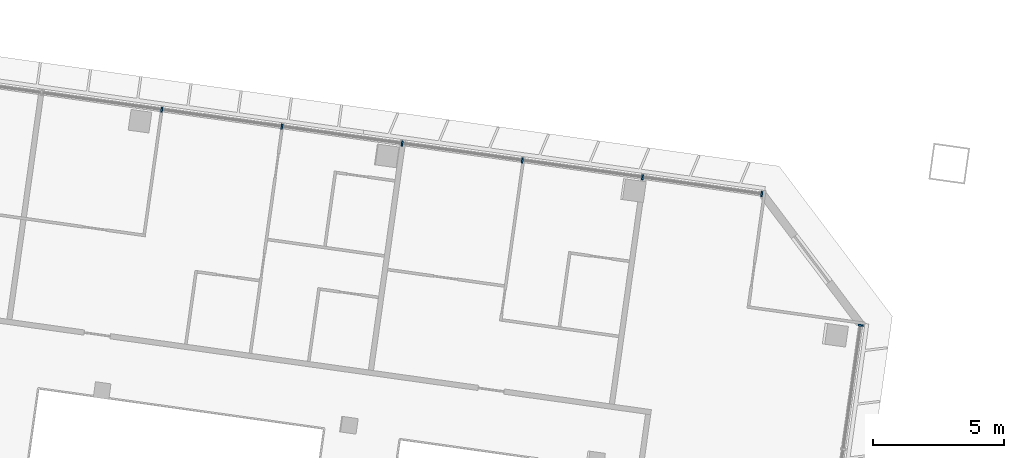
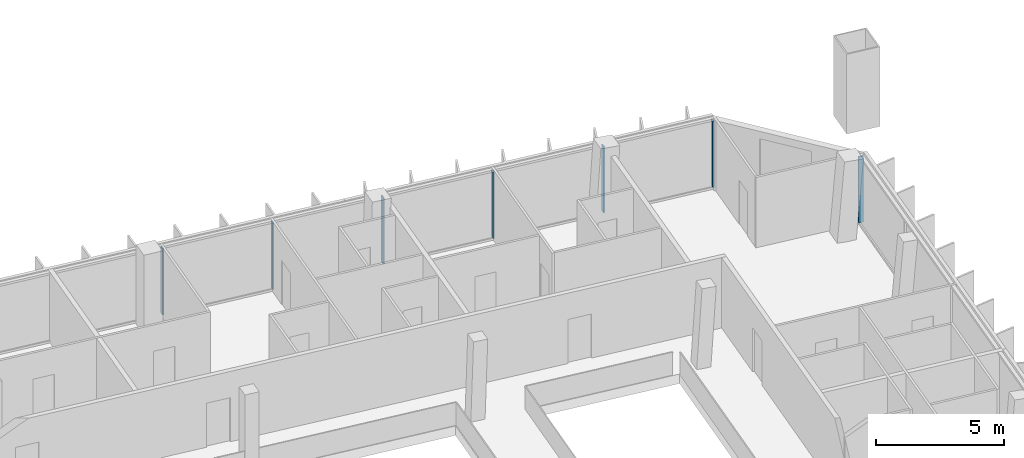
# One storey, part 6 of 23: 7 members, 2 elements without a shape of their own.
"""IFC4 building model written with IfcOpenShell, lengths in metres."""

from ifc_helpers import new_model, si_unit, direction, frame, origin, origin_2d, place, context, subcontext, project, spatial, rectangle, extrude, material, material_profile, profile_set, type_object, element, aggregate, save


model = new_model("IFC4")

# Units and contexts
model_context = context("Model", 3, precision=1e-05, world=origin(), true_north=direction((0.0, 1.0)))
body_context = subcontext(model_context, "Body", "Model", "MODEL_VIEW")
ifc_project = project(units=[si_unit("LENGTHUNIT", "METRE"), si_unit("AREAUNIT", "SQUARE_METRE"), si_unit("VOLUMEUNIT", "CUBIC_METRE"), si_unit("PLANEANGLEUNIT", "RADIAN"), si_unit("MASSUNIT", "GRAM", prefix="KILO")], contexts=[model_context])

# Site, building, storey
site_placement = place(None, origin())
site = spatial("IfcSite", under=ifc_project, at=site_placement, CompositionType="ELEMENT")
building_placement = place(site_placement, origin())
building = spatial("IfcBuilding", under=site, at=building_placement, Name="Mirante Cascada Hotel Towers", CompositionType="ELEMENT")
storey_placement = place(building_placement, frame((0.0, 0.0, 187.8)))
storey = spatial("IfcBuildingStorey", under=building, at=storey_placement, Name="L44", CompositionType="ELEMENT", Elevation=187.8)

# Curtain wall, members
ifc_material_1 = material(Name="Aluminium mullion and transom frame with clear laminated glass", Category="aluminium")
curtain_wall_type_1 = type_object("IfcCurtainWallType", Name="Ribbon curtain wall ECW1", PredefinedType="NOTDEFINED", material=ifc_material_1)
curtain_wall_1_placement = place(storey_placement, origin())
curtain_wall_1 = element("IfcCurtainWall", 1, at=curtain_wall_1_placement, inside=storey, type_object=curtain_wall_type_1, Name="Front ribbon wall T1 L44", PredefinedType="NOTDEFINED")
ifc_material_2 = material(Name="Anodised aluminium extrusion", Category="aluminium")
ifc_material_profile_1 = material_profile(ifc_material_2, rectangle(XDim=0.2, YDim=0.065, at=origin_2d()), Name="ECW1 MULLION 65x200")
ifc_profile_set_1 = profile_set([ifc_material_profile_1], Name="Anodised aluminium extrusion")
member_type_1 = type_object("IfcMemberType", Name="ECW1 mullion 65x200", PredefinedType="MULLION", material=ifc_profile_set_1)
member_1_placement = place(storey_placement, frame((-53.3576, 20.3179, 0.1), z_axis=(0.0, 0.0, 1.0), x_axis=(0.1391731, 0.9902681, 0.0)))
member_1 = element("IfcMember", 2, at=member_1_placement, type_object=member_type_1, Name="ECW1 mullion 6", PredefinedType="MULLION", context=body_context, shape_type="SweptSolid", body=[
    extrude(rectangle(XDim=0.2, YDim=0.065, at=origin_2d()), origin(), (0.0, 0.0, 1.0), 3.15),
])
member_2_placement = place(storey_placement, frame((-48.7624, 19.6721, 0.1), z_axis=(0.0, 0.0, 1.0), x_axis=(0.1391731, 0.9902681, 0.0)))
member_2 = element("IfcMember", 3, at=member_2_placement, type_object=member_type_1, Name="ECW1 mullion 7", PredefinedType="MULLION", context=body_context, shape_type="SweptSolid", body=[
    extrude(rectangle(XDim=0.2, YDim=0.065, at=origin_2d()), origin(), (0.0, 0.0, 1.0), 3.15),
])
member_3_placement = place(storey_placement, frame((-44.1673, 19.0263, 0.1), z_axis=(0.0, 0.0, 1.0), x_axis=(0.1391731, 0.9902681, 0.0)))
member_3 = element("IfcMember", 4, at=member_3_placement, type_object=member_type_1, Name="ECW1 mullion 8", PredefinedType="MULLION", context=body_context, shape_type="SweptSolid", body=[
    extrude(rectangle(XDim=0.2, YDim=0.065, at=origin_2d()), origin(), (0.0, 0.0, 1.0), 3.15),
])
member_4_placement = place(storey_placement, frame((-39.5721, 18.3805, 0.1), z_axis=(0.0, 0.0, 1.0), x_axis=(0.1391731, 0.9902681, 0.0)))
member_4 = element("IfcMember", 5, at=member_4_placement, type_object=member_type_1, Name="ECW1 mullion 9", PredefinedType="MULLION", context=body_context, shape_type="SweptSolid", body=[
    extrude(rectangle(XDim=0.2, YDim=0.065, at=origin_2d()), origin(), (0.0, 0.0, 1.0), 3.15),
])
member_5_placement = place(storey_placement, frame((-34.977, 17.7347, 0.1), z_axis=(0.0, 0.0, 1.0), x_axis=(0.1391731, 0.9902681, 0.0)))
member_5 = element("IfcMember", 6, at=member_5_placement, type_object=member_type_1, Name="ECW1 mullion 10", PredefinedType="MULLION", context=body_context, shape_type="SweptSolid", body=[
    extrude(rectangle(XDim=0.2, YDim=0.065, at=origin_2d()), origin(), (0.0, 0.0, 1.0), 3.15),
])
member_6_placement = place(storey_placement, frame((-30.414, 17.0934, 0.1), z_axis=(0.0, 0.0, 1.0), x_axis=(0.1391731, 0.9902681, 0.0)))
member_6 = element("IfcMember", 7, at=member_6_placement, type_object=member_type_1, Name="ECW1 mullion 11", PredefinedType="MULLION", context=body_context, shape_type="SweptSolid", body=[
    extrude(rectangle(XDim=0.2, YDim=0.065, at=origin_2d()), origin(), (0.0, 0.0, 1.0), 3.15),
])
aggregate(curtain_wall_1, [member_1, member_2, member_3, member_4, member_5, member_6])

# Curtain wall, member
ifc_material_3 = material(Name="Aluminium mullion and transom frame with clear laminated glass", Category="aluminium")
curtain_wall_type_2 = type_object("IfcCurtainWallType", Name="End ribbon curtain wall ECW2", PredefinedType="NOTDEFINED", material=ifc_material_3)
curtain_wall_2_placement = place(storey_placement, origin())
curtain_wall_2 = element("IfcCurtainWall", 8, at=curtain_wall_2_placement, inside=storey, type_object=curtain_wall_type_2, Name="Inner end wall T1 L44", PredefinedType="NOTDEFINED")
ifc_material_4 = material(Name="Anodised aluminium extrusion", Category="aluminium")
ifc_material_profile_2 = material_profile(ifc_material_4, rectangle(XDim=0.2, YDim=0.065, at=origin_2d()), Name="ECW2 MULLION 65x200")
ifc_profile_set_2 = profile_set([ifc_material_profile_2], Name="Anodised aluminium extrusion")
member_type_2 = type_object("IfcMemberType", Name="ECW2 mullion 65x200", PredefinedType="MULLION", material=ifc_profile_set_2)
member_7_placement = place(storey_placement, frame((-26.6312, 12.0735, 0.1), z_axis=(0.0, 0.0, 1.0), x_axis=(0.9902681, -0.1391731, 0.0)))
member_7 = element("IfcMember", 9, at=member_7_placement, type_object=member_type_2, Name="ECW2 mullion 1", PredefinedType="MULLION", context=body_context, shape_type="SweptSolid", body=[
    extrude(rectangle(XDim=0.2, YDim=0.065, at=origin_2d()), origin(), (0.0, 0.0, 1.0), 3.15),
])
aggregate(curtain_wall_2, [member_7])

save(model, "model.ifc")
